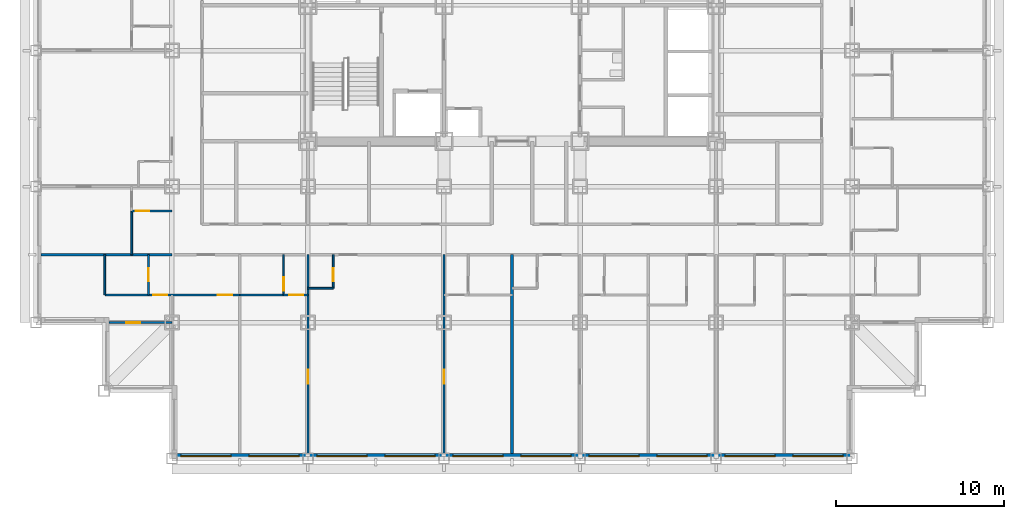
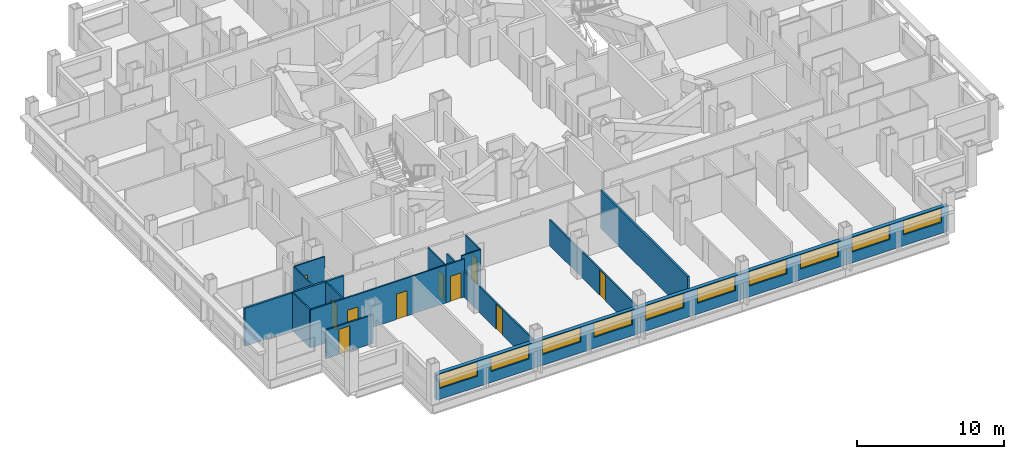
# One storey, part 4 of 15: 16 walls, 10 doors, 10 windows, 20 openings.
"""IFC4 building model written with IfcOpenShell, lengths in metres."""

from ifc_helpers import new_model, si_unit, direction, frame, frame_2d, origin, place, context, subcontext, project, spatial, rectangle, extrude, material, layer, layer_set, type_object, element, fill, save


model = new_model("IFC4")

# Units and contexts
model_context = context("Model", 3, precision=1e-05, world=origin(), true_north=direction((0.0, 1.0)))
body_context = subcontext(model_context, "Body", "Model", "MODEL_VIEW")
ifc_project = project(units=[si_unit("LENGTHUNIT", "METRE"), si_unit("AREAUNIT", "SQUARE_METRE"), si_unit("VOLUMEUNIT", "CUBIC_METRE"), si_unit("PLANEANGLEUNIT", "RADIAN"), si_unit("MASSUNIT", "GRAM", prefix="KILO")], contexts=[model_context])

# Site, building, storey
site_placement = place(None, origin())
site = spatial("IfcSite", under=ifc_project, at=site_placement, CompositionType="ELEMENT")
building_placement = place(site_placement, origin())
building = spatial("IfcBuilding", under=site, at=building_placement, Name="Kopane Lantern Tower", CompositionType="ELEMENT")
storey_placement = place(building_placement, frame((0.0, 0.0, 154.39990234375)))
storey = spatial("IfcBuildingStorey", under=building, at=storey_placement, Name="L40", CompositionType="ELEMENT", Elevation=154.39990234375)

# Wall, opening, door
ifc_material_1 = material(Name="Gypsum board on steel studs", Category="steel")
ifc_layer_1 = layer(ifc_material_1, 0.1201171875)
ifc_layer_set_1 = layer_set([ifc_layer_1], Name="APARTMENT INTERNAL WALL 120")
wall_type_1 = type_object("IfcWallType", Name="APARTMENT INTERNAL WALL 120", PredefinedType="PARTITIONING", material=ifc_layer_set_1)
wall_1_placement = place(storey_placement, frame((16.199951171875, 17.550048828125, 0.0), z_axis=(0.0, 0.0, 1.0), x_axis=(0.0, -1.0, 0.0)))
wall_1 = element("IfcWall", 1, at=wall_1_placement, inside=storey, type_object=wall_type_1, Name="Apartment Internal Wall 120 L40", PredefinedType="PARTITIONING", context=body_context, shape_type="SweptSolid", body=[
    extrude(rectangle(XDim=11.85009765625, YDim=0.1201171875, at=frame_2d((5.925048828125, 0.0))), origin(), (0.0, 0.0, 1.0), 2.150146484375),
])
opening_1_placement = place(wall_1_placement, frame((6.85009765625, 0.0, 0.0)))
opening_1 = element("IfcOpeningElement", 2, at=opening_1_placement, cuts=wall_1, Name="Opening L40-026", PredefinedType="OPENING", context=body_context, shape_type="SweptSolid", body=[
    extrude(rectangle(XDim=0.85009765625, YDim=2.10009765625, at=frame_2d((0.425048828125, 1.050048828125))), frame((0.0, 0.070068359375, 0.0), z_axis=(0.0, -1.0, 0.0), x_axis=(1.0, 0.0, 0.0)), (0.0, 0.0, 1.0), 0.14013671875),
])
ifc_material_2 = material(Name="Timber door set", Category="wood")
door_type_1 = type_object("IfcDoorType", Name="DOOR D4 850x2100", OperationType="SINGLE_SWING_LEFT", PredefinedType="DOOR", material=ifc_material_2)
door_1_placement = place(opening_1_placement, origin())
door_1 = element("IfcDoor", 3, at=door_1_placement, inside=storey, type_object=door_type_1, Name="Door L40-026", OperationType="SINGLE_SWING_RIGHT", OverallHeight=2.10009765625, OverallWidth=0.85009765625, PredefinedType="DOOR", context=body_context, shape_type="SweptSolid", body=[
    extrude(rectangle(XDim=0.85009765625, YDim=2.10009765625, at=frame_2d((0.425048828125, 1.050048828125))), frame((0.0, 0.02490234375, 0.0), z_axis=(0.0, -1.0, 0.0), x_axis=(1.0, 0.0, 0.0)), (0.0, 0.0, 1.0), 0.050048828125),
])
fill(opening_1, door_1)

wall_2_placement = place(storey_placement, frame((24.300048828125, 17.550048828125, 0.0), z_axis=(0.0, 0.0, 1.0), x_axis=(0.0, -1.0, 0.0)))
wall_2 = element("IfcWall", 4, at=wall_2_placement, inside=storey, type_object=wall_type_1, Name="Apartment Internal Wall 120 L40", PredefinedType="PARTITIONING", context=body_context, shape_type="SweptSolid", body=[
    extrude(rectangle(XDim=11.85009765625, YDim=0.1201171875, at=frame_2d((5.925048828125, 0.0))), origin(), (0.0, 0.0, 1.0), 2.150146484375),
])
opening_2_placement = place(wall_2_placement, frame((6.85009765625, 0.0, 0.0)))
opening_2 = element("IfcOpeningElement", 5, at=opening_2_placement, cuts=wall_2, Name="Opening L40-028", PredefinedType="OPENING", context=body_context, shape_type="SweptSolid", body=[
    extrude(rectangle(XDim=0.85009765625, YDim=2.10009765625, at=frame_2d((0.425048828125, 1.050048828125))), frame((0.0, 0.070068359375, 0.0), z_axis=(0.0, -1.0, 0.0), x_axis=(1.0, 0.0, 0.0)), (0.0, 0.0, 1.0), 0.14013671875),
])
door_2_placement = place(opening_2_placement, origin())
door_2 = element("IfcDoor", 6, at=door_2_placement, inside=storey, type_object=door_type_1, Name="Door L40-028", OperationType="SINGLE_SWING_LEFT", OverallHeight=2.10009765625, OverallWidth=0.85009765625, PredefinedType="DOOR", context=body_context, shape_type="SweptSolid", body=[
    extrude(rectangle(XDim=0.85009765625, YDim=2.10009765625, at=frame_2d((0.425048828125, 1.050048828125))), frame((0.0, 0.02490234375, 0.0), z_axis=(0.0, -1.0, 0.0), x_axis=(1.0, 0.0, 0.0)), (0.0, 0.0, 1.0), 0.050048828125),
])
fill(opening_2, door_2)

# Wall, openings, doors
wall_3_placement = place(storey_placement, frame((4.10009765625, 15.14990234375, 0.0), z_axis=(0.0, 0.0, 1.0), x_axis=(1.0, 0.0, 0.0)))
wall_3 = element("IfcWall", 7, at=wall_3_placement, inside=storey, type_object=wall_type_1, Name="Apartment Internal Wall 120 L40", PredefinedType="PARTITIONING", context=body_context, shape_type="SweptSolid", body=[
    extrude(rectangle(XDim=8.0498046875, YDim=0.1201171875, at=frame_2d((4.02490234375, 0.0))), origin(), (0.0, 0.0, 1.0), 3.150146484375),
])
opening_3_placement = place(wall_3_placement, frame((6.72509765625, 0.0, 0.0)))
opening_3 = element("IfcOpeningElement", 8, at=opening_3_placement, cuts=wall_3, Name="Opening L40-077", PredefinedType="OPENING", context=body_context, shape_type="SweptSolid", body=[
    extrude(rectangle(XDim=0.85009765625, YDim=2.10009765625, at=frame_2d((0.425048828125, 1.050048828125))), frame((0.0, 0.070068359375, 0.0), z_axis=(0.0, -1.0, 0.0), x_axis=(1.0, 0.0, 0.0)), (0.0, 0.0, 1.0), 0.14013671875),
])
opening_4_placement = place(wall_3_placement, frame((2.875, 0.0, 0.0)))
opening_4 = element("IfcOpeningElement", 9, at=opening_4_placement, cuts=wall_3, Name="Opening L40-079", PredefinedType="OPENING", context=body_context, shape_type="SweptSolid", body=[
    extrude(rectangle(XDim=0.85009765625, YDim=2.10009765625, at=frame_2d((0.425048828125, 1.050048828125))), frame((0.0, 0.070068359375, 0.0), z_axis=(0.0, -1.0, 0.0), x_axis=(1.0, 0.0, 0.0)), (0.0, 0.0, 1.0), 0.14013671875),
])
door_3_placement = place(opening_3_placement, origin())
door_3 = element("IfcDoor", 10, at=door_3_placement, inside=storey, type_object=door_type_1, Name="Door L40-077", OperationType="SINGLE_SWING_RIGHT", OverallHeight=2.10009765625, OverallWidth=0.85009765625, PredefinedType="DOOR", context=body_context, shape_type="SweptSolid", body=[
    extrude(rectangle(XDim=0.85009765625, YDim=2.10009765625, at=frame_2d((0.425048828125, 1.050048828125))), frame((0.0, 0.02490234375, 0.0), z_axis=(0.0, -1.0, 0.0), x_axis=(1.0, 0.0, 0.0)), (0.0, 0.0, 1.0), 0.050048828125),
])
fill(opening_3, door_3)
door_4_placement = place(opening_4_placement, origin())
door_4 = element("IfcDoor", 11, at=door_4_placement, inside=storey, type_object=door_type_1, Name="Door L40-079", OperationType="SINGLE_SWING_LEFT", OverallHeight=2.10009765625, OverallWidth=0.85009765625, PredefinedType="DOOR", context=body_context, shape_type="SweptSolid", body=[
    extrude(rectangle(XDim=0.85009765625, YDim=2.10009765625, at=frame_2d((0.425048828125, 1.050048828125))), frame((0.0, 0.02490234375, 0.0), z_axis=(0.0, -1.0, 0.0), x_axis=(1.0, 0.0, 0.0)), (0.0, 0.0, 1.0), 0.050048828125),
])
fill(opening_4, door_4)

# Wall, opening, door
wall_4_placement = place(storey_placement, frame((8.10009765625, 13.5, 0.0), z_axis=(0.0, 0.0, 1.0), x_axis=(-1.0, 0.0, 0.0)))
wall_4 = element("IfcWall", 12, at=wall_4_placement, inside=storey, type_object=wall_type_1, Name="Apartment Internal Wall 120 L40", PredefinedType="PARTITIONING", context=body_context, shape_type="SweptSolid", body=[
    extrude(rectangle(XDim=3.75, YDim=0.1201171875, at=frame_2d((1.875, 0.0))), origin(), (0.0, 0.0, 1.0), 2.38037109375),
])
opening_5_placement = place(wall_4_placement, frame((1.875, 0.0, 0.0)))
opening_5 = element("IfcOpeningElement", 13, at=opening_5_placement, cuts=wall_4, Name="Opening L40-080", PredefinedType="OPENING", context=body_context, shape_type="SweptSolid", body=[
    extrude(rectangle(XDim=0.85009765625, YDim=2.10009765625, at=frame_2d((0.425048828125, 1.050048828125))), frame((0.0, 0.070068359375, 0.0), z_axis=(0.0, -1.0, 0.0), x_axis=(1.0, 0.0, 0.0)), (0.0, 0.0, 1.0), 0.14013671875),
])
door_5_placement = place(opening_5_placement, origin())
door_5 = element("IfcDoor", 14, at=door_5_placement, inside=storey, type_object=door_type_1, Name="Door L40-080", OperationType="SINGLE_SWING_LEFT", OverallHeight=2.10009765625, OverallWidth=0.85009765625, PredefinedType="DOOR", context=body_context, shape_type="SweptSolid", body=[
    extrude(rectangle(XDim=0.85009765625, YDim=2.10009765625, at=frame_2d((0.425048828125, 1.050048828125))), frame((0.0, 0.02490234375, 0.0), z_axis=(0.0, -1.0, 0.0), x_axis=(1.0, 0.0, 0.0)), (0.0, 0.0, 1.0), 0.050048828125),
])
fill(opening_5, door_5)

wall_5_placement = place(storey_placement, frame((16.199951171875, 15.14990234375, 0.0), z_axis=(0.0, 0.0, 1.0), x_axis=(-1.0, 0.0, 0.0)))
wall_5 = element("IfcWall", 15, at=wall_5_placement, inside=storey, type_object=wall_type_1, Name="Apartment Internal Wall 120 L40", PredefinedType="PARTITIONING", context=body_context, shape_type="SweptSolid", body=[
    extrude(rectangle(XDim=1.4599609375, YDim=0.1201171875, at=frame_2d((0.72998046875, 0.0))), origin(), (0.0, 0.0, 1.0), 3.150146484375),
])
opening_6_placement = place(wall_5_placement, frame((0.27490234375, 0.0, 0.0)))
opening_6 = element("IfcOpeningElement", 16, at=opening_6_placement, cuts=wall_5, Name="Opening L40-092", PredefinedType="OPENING", context=body_context, shape_type="SweptSolid", body=[
    extrude(rectangle(XDim=0.85009765625, YDim=2.10009765625, at=frame_2d((0.425048828125, 1.050048828125))), frame((0.0, 0.070068359375, 0.0), z_axis=(0.0, -1.0, 0.0), x_axis=(1.0, 0.0, 0.0)), (0.0, 0.0, 1.0), 0.14013671875),
])
door_6_placement = place(opening_6_placement, origin())
door_6 = element("IfcDoor", 17, at=door_6_placement, inside=storey, type_object=door_type_1, Name="Door L40-092", OperationType="SINGLE_SWING_LEFT", OverallHeight=2.10009765625, OverallWidth=0.85009765625, PredefinedType="DOOR", context=body_context, shape_type="SweptSolid", body=[
    extrude(rectangle(XDim=0.85009765625, YDim=2.10009765625, at=frame_2d((0.425048828125, 1.050048828125))), frame((0.0, 0.02490234375, 0.0), z_axis=(0.0, -1.0, 0.0), x_axis=(1.0, 0.0, 0.0)), (0.0, 0.0, 1.0), 0.050048828125),
])
fill(opening_6, door_6)

# Wall
ifc_material_3 = material(Name="Moisture-resistant board on steel studs", Category="steel")
ifc_layer_2 = layer(ifc_material_3, 0.10009765625)
ifc_layer_set_2 = layer_set([ifc_layer_2], Name="BATHROOM WALL 100")
wall_type_2 = type_object("IfcWallType", Name="BATHROOM WALL 100", PredefinedType="PARTITIONING", material=ifc_layer_set_2)
wall_6_placement = place(storey_placement, frame((16.199951171875, 15.550048828125, 0.0), z_axis=(0.0, 0.0, 1.0), x_axis=(1.0, 0.0, 0.0)))
element("IfcWall", 18, at=wall_6_placement, inside=storey, type_object=wall_type_2, Name="Bathroom Wall 100 L40", PredefinedType="PARTITIONING", context=body_context, shape_type="SweptSolid", body=[
    extrude(rectangle(XDim=1.5, YDim=0.10009765625, at=frame_2d((0.75, 0.0))), origin(), (0.0, 0.0, 1.0), 3.150146484375),
])

# Wall, opening, door
wall_7_placement = place(storey_placement, frame((17.699951171875, 17.550048828125, 0.0), z_axis=(0.0, 0.0, 1.0), x_axis=(0.0, -1.0, 0.0)))
wall_7 = element("IfcWall", 19, at=wall_7_placement, inside=storey, type_object=wall_type_2, Name="Bathroom Wall 100 L40", PredefinedType="PARTITIONING", context=body_context, shape_type="SweptSolid", body=[
    extrude(rectangle(XDim=2.0, YDim=0.10009765625, at=frame_2d((1.0, 0.0))), origin(), (0.0, 0.0, 1.0), 3.150146484375),
])
opening_7_placement = place(wall_7_placement, frame((0.800048828125, 0.0, 0.0)))
opening_7 = element("IfcOpeningElement", 20, at=opening_7_placement, cuts=wall_7, Name="Opening L40-023", PredefinedType="OPENING", context=body_context, shape_type="SweptSolid", body=[
    extrude(rectangle(XDim=0.800048828125, YDim=2.10009765625, at=frame_2d((0.39990234375, 1.050048828125))), frame((0.0, 0.06005859375, 0.0), z_axis=(0.0, -1.0, 0.0), x_axis=(1.0, 0.0, 0.0)), (0.0, 0.0, 1.0), 0.1201171875),
])
ifc_material_4 = material(Name="Timber door set", Category="wood")
door_type_2 = type_object("IfcDoorType", Name="DOOR D2 800x2100", OperationType="SINGLE_SWING_LEFT", PredefinedType="DOOR", material=ifc_material_4)
door_7_placement = place(opening_7_placement, origin())
door_7 = element("IfcDoor", 21, at=door_7_placement, inside=storey, type_object=door_type_2, Name="Door L40-023", OperationType="SINGLE_SWING_LEFT", OverallHeight=2.10009765625, OverallWidth=0.800048828125, PredefinedType="DOOR", context=body_context, shape_type="SweptSolid", body=[
    extrude(rectangle(XDim=0.800048828125, YDim=2.10009765625, at=frame_2d((0.39990234375, 1.050048828125))), frame((0.0, 0.02490234375, 0.0), z_axis=(0.0, -1.0, 0.0), x_axis=(1.0, 0.0, 0.0)), (0.0, 0.0, 1.0), 0.050048828125),
])
fill(opening_7, door_7)

# Wall
wall_8_placement = place(storey_placement, frame((12.14990234375, 15.14990234375, 0.0), z_axis=(0.0, 0.0, 1.0), x_axis=(1.0, 0.0, 0.0)))
element("IfcWall", 22, at=wall_8_placement, inside=storey, type_object=wall_type_2, Name="Bathroom Wall 100 L40", PredefinedType="PARTITIONING", context=body_context, shape_type="SweptSolid", body=[
    extrude(rectangle(XDim=2.60009765625, YDim=0.10009765625, at=frame_2d((1.300048828125, 0.0))), origin(), (0.0, 0.0, 1.0), 3.150146484375),
])

# Wall, opening, door
wall_9_placement = place(storey_placement, frame((14.75, 17.550048828125, 0.0), z_axis=(0.0, 0.0, 1.0), x_axis=(0.0, -1.0, 0.0)))
wall_9 = element("IfcWall", 23, at=wall_9_placement, inside=storey, type_object=wall_type_2, Name="Bathroom Wall 100 L40", PredefinedType="PARTITIONING", context=body_context, shape_type="SweptSolid", body=[
    extrude(rectangle(XDim=2.400146484375, YDim=0.10009765625, at=frame_2d((1.2001953125, 0.0))), origin(), (0.0, 0.0, 1.0), 3.150146484375),
])
opening_8_placement = place(wall_9_placement, frame((1.35009765625, 0.0, 0.0)))
opening_8 = element("IfcOpeningElement", 24, at=opening_8_placement, cuts=wall_9, Name="Opening L40-025", PredefinedType="OPENING", context=body_context, shape_type="SweptSolid", body=[
    extrude(rectangle(XDim=0.800048828125, YDim=2.10009765625, at=frame_2d((0.39990234375, 1.050048828125))), frame((0.0, 0.06005859375, 0.0), z_axis=(0.0, -1.0, 0.0), x_axis=(1.0, 0.0, 0.0)), (0.0, 0.0, 1.0), 0.1201171875),
])
door_8_placement = place(opening_8_placement, origin())
door_8 = element("IfcDoor", 25, at=door_8_placement, inside=storey, type_object=door_type_2, Name="Door L40-025", OperationType="SINGLE_SWING_RIGHT", OverallHeight=2.10009765625, OverallWidth=0.800048828125, PredefinedType="DOOR", context=body_context, shape_type="SweptSolid", body=[
    extrude(rectangle(XDim=0.800048828125, YDim=2.10009765625, at=frame_2d((0.39990234375, 1.050048828125))), frame((0.0, 0.02490234375, 0.0), z_axis=(0.0, -1.0, 0.0), x_axis=(1.0, 0.0, 0.0)), (0.0, 0.0, 1.0), 0.050048828125),
])
fill(opening_8, door_8)

# Wall
wall_10_placement = place(storey_placement, frame((5.699951171875, 17.550048828125, 0.0), z_axis=(0.0, 0.0, 1.0), x_axis=(0.0, 1.0, 0.0)))
element("IfcWall", 26, at=wall_10_placement, inside=storey, type_object=wall_type_2, Name="Bathroom Wall 100 L40", PredefinedType="PARTITIONING", context=body_context, shape_type="SweptSolid", body=[
    extrude(rectangle(XDim=2.599853515625, YDim=0.10009765625, at=frame_2d((1.2998046875, 0.0))), origin(), (0.0, 0.0, 1.0), 3.150146484375),
])

# Wall, opening, door
wall_11_placement = place(storey_placement, frame((8.10009765625, 20.14990234375, 0.0), z_axis=(0.0, 0.0, 1.0), x_axis=(-1.0, 0.0, 0.0)))
wall_11 = element("IfcWall", 27, at=wall_11_placement, inside=storey, type_object=wall_type_2, Name="Bathroom Wall 100 L40", PredefinedType="PARTITIONING", context=body_context, shape_type="SweptSolid", body=[
    extrude(rectangle(XDim=2.400146484375, YDim=0.10009765625, at=frame_2d((1.2001953125, 0.0))), origin(), (0.0, 0.0, 1.0), 3.150146484375),
])
opening_9_placement = place(wall_11_placement, frame((1.35009765625, 0.0, 0.0)))
opening_9 = element("IfcOpeningElement", 28, at=opening_9_placement, cuts=wall_11, Name="Opening L40-053", PredefinedType="OPENING", context=body_context, shape_type="SweptSolid", body=[
    extrude(rectangle(XDim=0.800048828125, YDim=2.10009765625, at=frame_2d((0.39990234375, 1.050048828125))), frame((0.0, 0.06005859375, 0.0), z_axis=(0.0, -1.0, 0.0), x_axis=(1.0, 0.0, 0.0)), (0.0, 0.0, 1.0), 0.1201171875),
])
door_9_placement = place(opening_9_placement, origin())
door_9 = element("IfcDoor", 29, at=door_9_placement, inside=storey, type_object=door_type_2, Name="Door L40-053", OperationType="SINGLE_SWING_LEFT", OverallHeight=2.10009765625, OverallWidth=0.800048828125, PredefinedType="DOOR", context=body_context, shape_type="SweptSolid", body=[
    extrude(rectangle(XDim=0.800048828125, YDim=2.10009765625, at=frame_2d((0.39990234375, 1.050048828125))), frame((0.0, 0.02490234375, 0.0), z_axis=(0.0, -1.0, 0.0), x_axis=(1.0, 0.0, 0.0)), (0.0, 0.0, 1.0), 0.050048828125),
])
fill(opening_9, door_9)

wall_12_placement = place(storey_placement, frame((6.699951171875, 17.550048828125, 0.0), z_axis=(0.0, 0.0, 1.0), x_axis=(0.0, -1.0, 0.0)))
wall_12 = element("IfcWall", 30, at=wall_12_placement, inside=storey, type_object=wall_type_2, Name="Bathroom Wall 100 L40", PredefinedType="PARTITIONING", context=body_context, shape_type="SweptSolid", body=[
    extrude(rectangle(XDim=2.400146484375, YDim=0.10009765625, at=frame_2d((1.2001953125, 0.0))), origin(), (0.0, 0.0, 1.0), 3.150146484375),
])
opening_10_placement = place(wall_12_placement, frame((0.800048828125, 0.0, 0.0)))
opening_10 = element("IfcOpeningElement", 31, at=opening_10_placement, cuts=wall_12, Name="Opening L40-078", PredefinedType="OPENING", context=body_context, shape_type="SweptSolid", body=[
    extrude(rectangle(XDim=0.800048828125, YDim=2.10009765625, at=frame_2d((0.39990234375, 1.050048828125))), frame((0.0, 0.06005859375, 0.0), z_axis=(0.0, -1.0, 0.0), x_axis=(1.0, 0.0, 0.0)), (0.0, 0.0, 1.0), 0.1201171875),
])
door_10_placement = place(opening_10_placement, origin())
door_10 = element("IfcDoor", 32, at=door_10_placement, inside=storey, type_object=door_type_2, Name="Door L40-078", OperationType="SINGLE_SWING_RIGHT", OverallHeight=2.10009765625, OverallWidth=0.800048828125, PredefinedType="DOOR", context=body_context, shape_type="SweptSolid", body=[
    extrude(rectangle(XDim=0.800048828125, YDim=2.10009765625, at=frame_2d((0.39990234375, 1.050048828125))), frame((0.0, 0.02490234375, 0.0), z_axis=(0.0, -1.0, 0.0), x_axis=(1.0, 0.0, 0.0)), (0.0, 0.0, 1.0), 0.050048828125),
])
fill(opening_10, door_10)

# Walls
wall_13_placement = place(storey_placement, frame((4.10009765625, 17.550048828125, 0.0), z_axis=(0.0, 0.0, 1.0), x_axis=(0.0, -1.0, 0.0)))
element("IfcWall", 33, at=wall_13_placement, inside=storey, type_object=wall_type_2, Name="Bathroom Wall 100 L40", PredefinedType="PARTITIONING", context=body_context, shape_type="SweptSolid", body=[
    extrude(rectangle(XDim=2.400146484375, YDim=0.10009765625, at=frame_2d((1.2001953125, 0.0))), origin(), (0.0, 0.0, 1.0), 3.150146484375),
])
ifc_material_5 = material(Name="Gypsum board on steel studs", Category="steel")
ifc_layer_3 = layer(ifc_material_5, 0.14990234375)
ifc_layer_set_3 = layer_set([ifc_layer_3], Name="DEMISING WALL 150 EI 60")
wall_type_3 = type_object("IfcWallType", Name="DEMISING WALL 150 EI 60", PredefinedType="PARTITIONING", material=ifc_layer_set_3)
wall_14_placement = place(storey_placement, frame((28.35009765625, 17.550048828125, 0.0), z_axis=(0.0, 0.0, 1.0), x_axis=(0.0, -1.0, 0.0)))
element("IfcWall", 34, at=wall_14_placement, inside=storey, type_object=wall_type_3, Name="Demising Wall 150 Ei 60 L40", PredefinedType="PARTITIONING", context=body_context, shape_type="SweptSolid", body=[
    extrude(rectangle(XDim=11.85009765625, YDim=0.14990234375, at=frame_2d((5.925048828125, 0.0))), origin(), (0.0, 0.0, 1.0), 3.150146484375),
])
wall_15_placement = place(storey_placement, frame((0.300048828125, 17.550048828125, 0.0), z_axis=(0.0, 0.0, 1.0), x_axis=(1.0, 0.0, 0.0)))
element("IfcWall", 35, at=wall_15_placement, inside=storey, type_object=wall_type_3, Name="Demising Wall 150 Ei 60 L40", PredefinedType="PARTITIONING", context=body_context, shape_type="SweptSolid", body=[
    extrude(rectangle(XDim=7.800048828125, YDim=0.14990234375, at=frame_2d((3.89990234375, 0.0))), origin(), (0.0, 0.0, 1.0), 3.150146484375),
])

# Wall, openings, windows
ifc_material_6 = material(Name="Terracotta rainscreen on light steel framing", Category="masonry")
ifc_layer_4 = layer(ifc_material_6, 0.300048828125)
ifc_layer_set_4 = layer_set([ifc_layer_4], Name="EXTERNAL WALL EW1 300 TERRACOTTA")
wall_type_4 = type_object("IfcWallType", Name="EXTERNAL WALL EW1 300 TERRACOTTA", PredefinedType="SOLIDWALL", material=ifc_layer_set_4)
wall_16_placement = place(storey_placement, frame((8.39990234375, 5.550048828125, 0.0), z_axis=(0.0, 0.0, 1.0), x_axis=(1.0, 0.0, 0.0)))
wall_16 = element("IfcWall", 36, at=wall_16_placement, inside=storey, type_object=wall_type_4, Name="External wall S L40", PredefinedType="SOLIDWALL", context=body_context, shape_type="SweptSolid", body=[
    extrude(rectangle(XDim=40.2001953125, YDim=0.300048828125, at=frame_2d((20.10009765625, 0.0))), origin(), (0.0, 0.0, 1.0), 2.150146484375),
])
opening_11_placement = place(wall_16_placement, frame((0.22509765625, 0.0, 0.89990234375)))
opening_11 = element("IfcOpeningElement", 37, at=opening_11_placement, cuts=wall_16, Name="Opening WR300120", PredefinedType="OPENING", context=body_context, shape_type="SweptSolid", body=[
    extrude(rectangle(XDim=3.0, YDim=1.199951171875, at=frame_2d((1.5, 0.60009765625))), frame((0.0, 0.159912109375, 0.0), z_axis=(0.0, -1.0, 0.0), x_axis=(1.0, 0.0, 0.0)), (0.0, 0.0, 1.0), 0.320068359375),
])
opening_12_placement = place(wall_16_placement, frame((4.27490234375, 0.0, 0.89990234375)))
opening_12 = element("IfcOpeningElement", 38, at=opening_12_placement, cuts=wall_16, Name="Opening WR300120", PredefinedType="OPENING", context=body_context, shape_type="SweptSolid", body=[
    extrude(rectangle(XDim=3.0, YDim=1.199951171875, at=frame_2d((1.5, 0.60009765625))), frame((0.0, 0.159912109375, 0.0), z_axis=(0.0, -1.0, 0.0), x_axis=(1.0, 0.0, 0.0)), (0.0, 0.0, 1.0), 0.320068359375),
])
opening_13_placement = place(wall_16_placement, frame((8.324951171875, 0.0, 0.89990234375)))
opening_13 = element("IfcOpeningElement", 39, at=opening_13_placement, cuts=wall_16, Name="Opening WR300120", PredefinedType="OPENING", context=body_context, shape_type="SweptSolid", body=[
    extrude(rectangle(XDim=3.0, YDim=1.199951171875, at=frame_2d((1.5, 0.60009765625))), frame((0.0, 0.159912109375, 0.0), z_axis=(0.0, -1.0, 0.0), x_axis=(1.0, 0.0, 0.0)), (0.0, 0.0, 1.0), 0.320068359375),
])
opening_14_placement = place(wall_16_placement, frame((12.375, 0.0, 0.89990234375)))
opening_14 = element("IfcOpeningElement", 40, at=opening_14_placement, cuts=wall_16, Name="Opening WR300120", PredefinedType="OPENING", context=body_context, shape_type="SweptSolid", body=[
    extrude(rectangle(XDim=3.0, YDim=1.199951171875, at=frame_2d((1.5, 0.60009765625))), frame((0.0, 0.159912109375, 0.0), z_axis=(0.0, -1.0, 0.0), x_axis=(1.0, 0.0, 0.0)), (0.0, 0.0, 1.0), 0.320068359375),
])
opening_15_placement = place(wall_16_placement, frame((16.425048828125, 0.0, 0.89990234375)))
opening_15 = element("IfcOpeningElement", 41, at=opening_15_placement, cuts=wall_16, Name="Opening WR300120", PredefinedType="OPENING", context=body_context, shape_type="SweptSolid", body=[
    extrude(rectangle(XDim=3.0, YDim=1.199951171875, at=frame_2d((1.5, 0.60009765625))), frame((0.0, 0.159912109375, 0.0), z_axis=(0.0, -1.0, 0.0), x_axis=(1.0, 0.0, 0.0)), (0.0, 0.0, 1.0), 0.320068359375),
])
opening_16_placement = place(wall_16_placement, frame((20.47509765625, 0.0, 0.89990234375)))
opening_16 = element("IfcOpeningElement", 42, at=opening_16_placement, cuts=wall_16, Name="Opening WR300120", PredefinedType="OPENING", context=body_context, shape_type="SweptSolid", body=[
    extrude(rectangle(XDim=3.0, YDim=1.199951171875, at=frame_2d((1.5, 0.60009765625))), frame((0.0, 0.159912109375, 0.0), z_axis=(0.0, -1.0, 0.0), x_axis=(1.0, 0.0, 0.0)), (0.0, 0.0, 1.0), 0.320068359375),
])
opening_17_placement = place(wall_16_placement, frame((24.52490234375, 0.0, 0.89990234375)))
opening_17 = element("IfcOpeningElement", 43, at=opening_17_placement, cuts=wall_16, Name="Opening WR300120", PredefinedType="OPENING", context=body_context, shape_type="SweptSolid", body=[
    extrude(rectangle(XDim=3.0, YDim=1.199951171875, at=frame_2d((1.5, 0.60009765625))), frame((0.0, 0.159912109375, 0.0), z_axis=(0.0, -1.0, 0.0), x_axis=(1.0, 0.0, 0.0)), (0.0, 0.0, 1.0), 0.320068359375),
])
opening_18_placement = place(wall_16_placement, frame((28.574951171875, 0.0, 0.89990234375)))
opening_18 = element("IfcOpeningElement", 44, at=opening_18_placement, cuts=wall_16, Name="Opening WR300120", PredefinedType="OPENING", context=body_context, shape_type="SweptSolid", body=[
    extrude(rectangle(XDim=3.0, YDim=1.199951171875, at=frame_2d((1.5, 0.60009765625))), frame((0.0, 0.159912109375, 0.0), z_axis=(0.0, -1.0, 0.0), x_axis=(1.0, 0.0, 0.0)), (0.0, 0.0, 1.0), 0.320068359375),
])
opening_19_placement = place(wall_16_placement, frame((32.625, 0.0, 0.89990234375)))
opening_19 = element("IfcOpeningElement", 45, at=opening_19_placement, cuts=wall_16, Name="Opening WR300120", PredefinedType="OPENING", context=body_context, shape_type="SweptSolid", body=[
    extrude(rectangle(XDim=3.0, YDim=1.199951171875, at=frame_2d((1.5, 0.60009765625))), frame((0.0, 0.159912109375, 0.0), z_axis=(0.0, -1.0, 0.0), x_axis=(1.0, 0.0, 0.0)), (0.0, 0.0, 1.0), 0.320068359375),
])
opening_20_placement = place(wall_16_placement, frame((36.675048828125, 0.0, 0.89990234375)))
opening_20 = element("IfcOpeningElement", 46, at=opening_20_placement, cuts=wall_16, Name="Opening WR300120", PredefinedType="OPENING", context=body_context, shape_type="SweptSolid", body=[
    extrude(rectangle(XDim=3.0, YDim=1.199951171875, at=frame_2d((1.5, 0.60009765625))), frame((0.0, 0.159912109375, 0.0), z_axis=(0.0, -1.0, 0.0), x_axis=(1.0, 0.0, 0.0)), (0.0, 0.0, 1.0), 0.320068359375),
])
ifc_material_7 = material(Name="Aluminium and clear glass", Category="aluminium")
window_type = type_object("IfcWindowType", Name="RIBBON WINDOW WR300120 3000x1200", PartitioningType="SINGLE_PANEL", PredefinedType="WINDOW", material=ifc_material_7)
window_1_placement = place(opening_11_placement, origin())
window_1 = element("IfcWindow", 47, at=window_1_placement, inside=storey, type_object=window_type, Name="Window S L40", OverallHeight=1.199951171875, OverallWidth=3.0, PartitioningType="SINGLE_PANEL", PredefinedType="WINDOW", context=body_context, shape_type="SweptSolid", body=[
    extrude(rectangle(XDim=3.0, YDim=1.199951171875, at=frame_2d((1.5, 0.60009765625))), frame((0.0, 0.030029296875, 0.0), z_axis=(0.0, -1.0, 0.0), x_axis=(1.0, 0.0, 0.0)), (0.0, 0.0, 1.0), 0.06005859375),
])
fill(opening_11, window_1)
window_2_placement = place(opening_12_placement, origin())
window_2 = element("IfcWindow", 48, at=window_2_placement, inside=storey, type_object=window_type, Name="Window S L40", OverallHeight=1.199951171875, OverallWidth=3.0, PartitioningType="SINGLE_PANEL", PredefinedType="WINDOW", context=body_context, shape_type="SweptSolid", body=[
    extrude(rectangle(XDim=3.0, YDim=1.199951171875, at=frame_2d((1.5, 0.60009765625))), frame((0.0, 0.030029296875, 0.0), z_axis=(0.0, -1.0, 0.0), x_axis=(1.0, 0.0, 0.0)), (0.0, 0.0, 1.0), 0.06005859375),
])
fill(opening_12, window_2)
window_3_placement = place(opening_13_placement, origin())
window_3 = element("IfcWindow", 49, at=window_3_placement, inside=storey, type_object=window_type, Name="Window S L40", OverallHeight=1.199951171875, OverallWidth=3.0, PartitioningType="SINGLE_PANEL", PredefinedType="WINDOW", context=body_context, shape_type="SweptSolid", body=[
    extrude(rectangle(XDim=3.0, YDim=1.199951171875, at=frame_2d((1.5, 0.60009765625))), frame((0.0, 0.030029296875, 0.0), z_axis=(0.0, -1.0, 0.0), x_axis=(1.0, 0.0, 0.0)), (0.0, 0.0, 1.0), 0.06005859375),
])
fill(opening_13, window_3)
window_4_placement = place(opening_14_placement, origin())
window_4 = element("IfcWindow", 50, at=window_4_placement, inside=storey, type_object=window_type, Name="Window S L40", OverallHeight=1.199951171875, OverallWidth=3.0, PartitioningType="SINGLE_PANEL", PredefinedType="WINDOW", context=body_context, shape_type="SweptSolid", body=[
    extrude(rectangle(XDim=3.0, YDim=1.199951171875, at=frame_2d((1.5, 0.60009765625))), frame((0.0, 0.030029296875, 0.0), z_axis=(0.0, -1.0, 0.0), x_axis=(1.0, 0.0, 0.0)), (0.0, 0.0, 1.0), 0.06005859375),
])
fill(opening_14, window_4)
window_5_placement = place(opening_15_placement, origin())
window_5 = element("IfcWindow", 51, at=window_5_placement, inside=storey, type_object=window_type, Name="Window S L40", OverallHeight=1.199951171875, OverallWidth=3.0, PartitioningType="SINGLE_PANEL", PredefinedType="WINDOW", context=body_context, shape_type="SweptSolid", body=[
    extrude(rectangle(XDim=3.0, YDim=1.199951171875, at=frame_2d((1.5, 0.60009765625))), frame((0.0, 0.030029296875, 0.0), z_axis=(0.0, -1.0, 0.0), x_axis=(1.0, 0.0, 0.0)), (0.0, 0.0, 1.0), 0.06005859375),
])
fill(opening_15, window_5)
window_6_placement = place(opening_16_placement, origin())
window_6 = element("IfcWindow", 52, at=window_6_placement, inside=storey, type_object=window_type, Name="Window S L40", OverallHeight=1.199951171875, OverallWidth=3.0, PartitioningType="SINGLE_PANEL", PredefinedType="WINDOW", context=body_context, shape_type="SweptSolid", body=[
    extrude(rectangle(XDim=3.0, YDim=1.199951171875, at=frame_2d((1.5, 0.60009765625))), frame((0.0, 0.030029296875, 0.0), z_axis=(0.0, -1.0, 0.0), x_axis=(1.0, 0.0, 0.0)), (0.0, 0.0, 1.0), 0.06005859375),
])
fill(opening_16, window_6)
window_7_placement = place(opening_17_placement, origin())
window_7 = element("IfcWindow", 53, at=window_7_placement, inside=storey, type_object=window_type, Name="Window S L40", OverallHeight=1.199951171875, OverallWidth=3.0, PartitioningType="SINGLE_PANEL", PredefinedType="WINDOW", context=body_context, shape_type="SweptSolid", body=[
    extrude(rectangle(XDim=3.0, YDim=1.199951171875, at=frame_2d((1.5, 0.60009765625))), frame((0.0, 0.030029296875, 0.0), z_axis=(0.0, -1.0, 0.0), x_axis=(1.0, 0.0, 0.0)), (0.0, 0.0, 1.0), 0.06005859375),
])
fill(opening_17, window_7)
window_8_placement = place(opening_18_placement, origin())
window_8 = element("IfcWindow", 54, at=window_8_placement, inside=storey, type_object=window_type, Name="Window S L40", OverallHeight=1.199951171875, OverallWidth=3.0, PartitioningType="SINGLE_PANEL", PredefinedType="WINDOW", context=body_context, shape_type="SweptSolid", body=[
    extrude(rectangle(XDim=3.0, YDim=1.199951171875, at=frame_2d((1.5, 0.60009765625))), frame((0.0, 0.030029296875, 0.0), z_axis=(0.0, -1.0, 0.0), x_axis=(1.0, 0.0, 0.0)), (0.0, 0.0, 1.0), 0.06005859375),
])
fill(opening_18, window_8)
window_9_placement = place(opening_19_placement, origin())
window_9 = element("IfcWindow", 55, at=window_9_placement, inside=storey, type_object=window_type, Name="Window S L40", OverallHeight=1.199951171875, OverallWidth=3.0, PartitioningType="SINGLE_PANEL", PredefinedType="WINDOW", context=body_context, shape_type="SweptSolid", body=[
    extrude(rectangle(XDim=3.0, YDim=1.199951171875, at=frame_2d((1.5, 0.60009765625))), frame((0.0, 0.030029296875, 0.0), z_axis=(0.0, -1.0, 0.0), x_axis=(1.0, 0.0, 0.0)), (0.0, 0.0, 1.0), 0.06005859375),
])
fill(opening_19, window_9)
window_10_placement = place(opening_20_placement, origin())
window_10 = element("IfcWindow", 56, at=window_10_placement, inside=storey, type_object=window_type, Name="Window S L40", OverallHeight=1.199951171875, OverallWidth=3.0, PartitioningType="SINGLE_PANEL", PredefinedType="WINDOW", context=body_context, shape_type="SweptSolid", body=[
    extrude(rectangle(XDim=3.0, YDim=1.199951171875, at=frame_2d((1.5, 0.60009765625))), frame((0.0, 0.030029296875, 0.0), z_axis=(0.0, -1.0, 0.0), x_axis=(1.0, 0.0, 0.0)), (0.0, 0.0, 1.0), 0.06005859375),
])
fill(opening_20, window_10)

save(model, "model.ifc")
